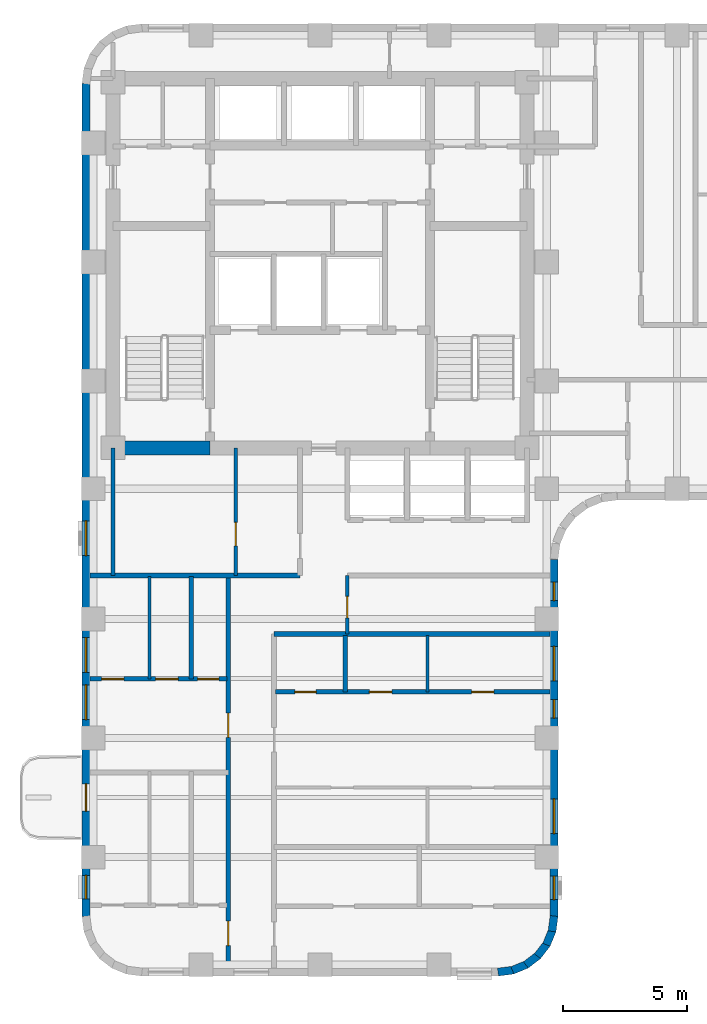
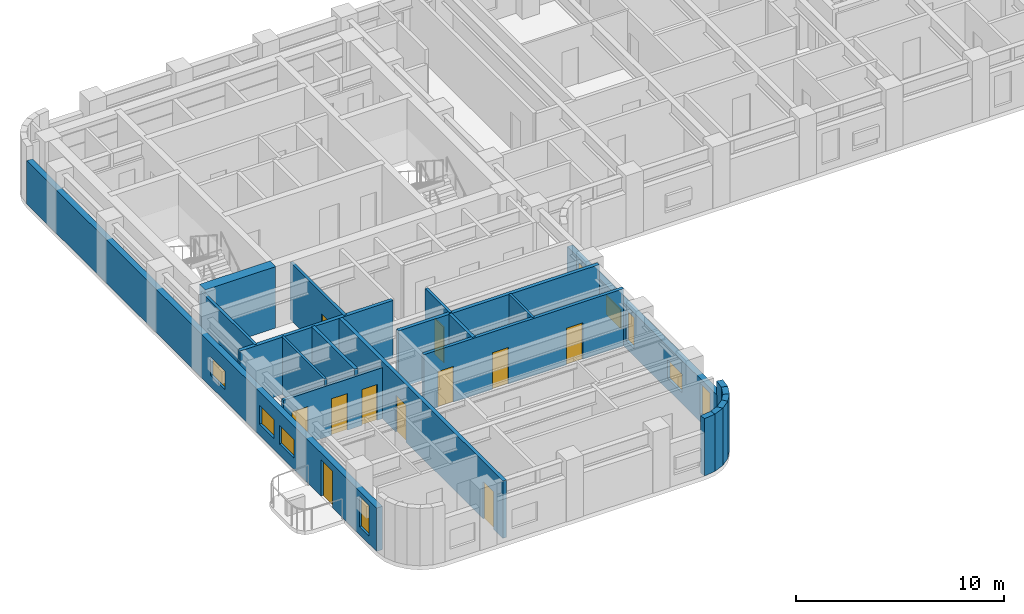
# One storey, part 3 of 10: 21 walls, 11 doors, 9 windows, 20 openings.
"""IFC4 building model written with IfcOpenShell, lengths in metres."""

from ifc_helpers import new_model, si_unit, direction, frame, frame_2d, origin, place, context, subcontext, project, spatial, rectangle, extrude, material, layer, layer_set, type_object, element, fill, save


model = new_model("IFC4")

# Units and contexts
model_context = context("Model", 3, precision=1e-05, world=origin(), true_north=direction((0.0, 1.0)))
body_context = subcontext(model_context, "Body", "Model", "MODEL_VIEW")
ifc_project = project(units=[si_unit("LENGTHUNIT", "METRE"), si_unit("AREAUNIT", "SQUARE_METRE"), si_unit("VOLUMEUNIT", "CUBIC_METRE"), si_unit("PLANEANGLEUNIT", "RADIAN"), si_unit("MASSUNIT", "GRAM", prefix="KILO")], contexts=[model_context])

# Site, building, storey
site_placement = place(None, origin())
site = spatial("IfcSite", under=ifc_project, at=site_placement, CompositionType="ELEMENT")
building_placement = place(site_placement, origin())
building = spatial("IfcBuilding", under=site, at=building_placement, Name="Orvandelia Arch Residences", CompositionType="ELEMENT")
storey_placement = place(building_placement, frame((0.0, 0.0, 121.60009765625)))
storey = spatial("IfcBuildingStorey", under=building, at=storey_placement, Name="L31", CompositionType="ELEMENT", Elevation=121.60009765625)

# Wall
ifc_material_1 = material(Name="Concrete C60/75", Category="concrete")
ifc_layer_1 = layer(ifc_material_1, 0.550048828125, Name="Concrete C60/75", Category="concrete")
ifc_layer_set_1 = layer_set([ifc_layer_1], Name="Concrete C60/75")
wall_type_1 = type_object("IfcWallType", Name="WL-CORE-550", PredefinedType="SHEAR", material=ifc_layer_set_1)
wall_1_placement = place(storey_placement, frame((6.050048828125, 30.89990234375, 0.0), z_axis=(0.0, 0.0, 1.0), x_axis=(1.0, 0.0, 0.0)))
element("IfcWall", 1, at=wall_1_placement, inside=storey, type_object=wall_type_1, Name="Core Shear Wall L31-SW", PredefinedType="SHEAR", context=body_context, shape_type="SweptSolid", body=[
    extrude(rectangle(XDim=3.909912109375, YDim=0.550048828125, at=frame_2d((1.955078125, 0.0))), origin(), (0.0, 0.0, 1.0), 3.599853515625),
])

# Wall, openings, doors
ifc_material_2 = material(Name="Fire-Rated Corridor Partition")
ifc_layer_2 = layer(ifc_material_2, 0.199951171875, Name="Fire-Rated Corridor Partition")
ifc_layer_set_2 = layer_set([ifc_layer_2], Name="Fire-Rated Corridor Partition")
wall_type_2 = type_object("IfcWallType", Name="WL-CORR-200", PredefinedType="PARTITIONING", material=ifc_layer_set_2)
wall_2_placement = place(storey_placement, frame((10.699951171875, 9.919921875, 0.0), z_axis=(0.0, 0.0, 1.0), x_axis=(0.0, 1.0, 0.0)))
wall_2 = element("IfcWall", 2, at=wall_2_placement, inside=storey, type_object=wall_type_2, Name="Interior Partition Wall WL-L31-WC-W", PredefinedType="PARTITIONING", context=body_context, shape_type="SweptSolid", body=[
    extrude(rectangle(XDim=15.830078125, YDim=0.199951171875, at=frame_2d((7.9150390625, 0.0))), origin(), (0.0, 0.0, 1.0), 3.35986328125),
])
opening_1_placement = place(wall_2_placement, frame((0.910888671875, 0.0, 0.0)))
opening_1 = element("IfcOpeningElement", 3, at=opening_1_placement, cuts=wall_2, Name="Opening D1", PredefinedType="OPENING", context=body_context, shape_type="SweptSolid", body=[
    extrude(rectangle(XDim=0.97998046875, YDim=2.179931640625, at=frame_2d((0.489990234375, 1.08984375))), frame((0.0, 0.10986328125, 0.0), z_axis=(0.0, -1.0, 0.0), x_axis=(1.0, 0.0, 0.0)), (0.0, 0.0, 1.0), 0.219970703125),
])
opening_2_placement = place(wall_2_placement, frame((9.302001953125, 0.0, 0.0)))
opening_2 = element("IfcOpeningElement", 4, at=opening_2_placement, cuts=wall_2, Name="Opening D1", PredefinedType="OPENING", context=body_context, shape_type="SweptSolid", body=[
    extrude(rectangle(XDim=0.97998046875, YDim=2.179931640625, at=frame_2d((0.489990234375, 1.08984375))), frame((0.0, 0.10986328125, 0.0), z_axis=(0.0, -1.0, 0.0), x_axis=(1.0, 0.0, 0.0)), (0.0, 0.0, 1.0), 0.219970703125),
])
ifc_material_3 = material(Name="Solid-Core Timber Acoustic Fire Door", Category="wood")
door_type_1 = type_object("IfcDoorType", Name="DR-ENT-980", OperationType="NOTDEFINED", PredefinedType="DOOR", material=ifc_material_3)
door_1_placement = place(opening_1_placement, origin())
door_1 = element("IfcDoor", 5, at=door_1_placement, inside=storey, type_object=door_type_1, Name="Unit L31-01 Entrance Door", OperationType="SINGLE_SWING_LEFT", OverallHeight=2.179931640625, OverallWidth=0.97998046875, PredefinedType="DOOR", context=body_context, shape_type="SweptSolid", body=[
    extrude(rectangle(XDim=0.97998046875, YDim=2.179931640625, at=frame_2d((0.489990234375, 1.08984375))), frame((0.0, 0.02490234375, 0.0), z_axis=(0.0, -1.0, 0.0), x_axis=(1.0, 0.0, 0.0)), (0.0, 0.0, 1.0), 0.050048828125),
])
fill(opening_1, door_1)
door_2_placement = place(opening_2_placement, origin())
door_2 = element("IfcDoor", 6, at=door_2_placement, inside=storey, type_object=door_type_1, Name="Unit L31-02 Entrance Door", OperationType="SINGLE_SWING_RIGHT", OverallHeight=2.179931640625, OverallWidth=0.97998046875, PredefinedType="DOOR", context=body_context, shape_type="SweptSolid", body=[
    extrude(rectangle(XDim=0.97998046875, YDim=2.179931640625, at=frame_2d((0.489990234375, 1.08984375))), frame((0.0, 0.02490234375, 0.0), z_axis=(0.0, -1.0, 0.0), x_axis=(1.0, 0.0, 0.0)), (0.0, 0.0, 1.0), 0.050048828125),
])
fill(opening_2, door_2)

# Walls
wall_3_placement = place(storey_placement, frame((12.550048828125, 23.39990234375, 0.0), z_axis=(0.0, 0.0, 1.0), x_axis=(1.0, 0.0, 0.0)))
element("IfcWall", 7, at=wall_3_placement, inside=storey, type_object=wall_type_2, Name="Interior Partition Wall WL-L31-WLNK-S", PredefinedType="PARTITIONING", context=body_context, shape_type="SweptSolid", body=[
    extrude(rectangle(XDim=11.1298828125, YDim=0.199951171875, at=frame_2d((5.56494140625, 0.0))), origin(), (0.0, 0.0, 1.0), 3.35986328125),
])
wall_4_placement = place(storey_placement, frame((5.1201171875, 25.75, 0.0), z_axis=(0.0, 0.0, 1.0), x_axis=(1.0, 0.0, 0.0)))
element("IfcWall", 8, at=wall_4_placement, inside=storey, type_object=wall_type_2, Name="Interior Partition Wall WL-L31-WLNK-N", PredefinedType="PARTITIONING", context=body_context, shape_type="SweptSolid", body=[
    extrude(rectangle(XDim=8.47998046875, YDim=0.199951171875, at=frame_2d((4.239990234375, 0.0))), origin(), (0.0, 0.0, 1.0), 3.35986328125),
])

# Wall, openings, windows
ifc_material_4 = material(Name="Precast concrete C40/50", Category="concrete")
ifc_layer_3 = layer(ifc_material_4, 0.320068359375, Name="Precast concrete C40/50", Category="concrete")
ifc_layer_set_3 = layer_set([ifc_layer_3], Name="Precast concrete C40/50")
wall_type_3 = type_object("IfcWallType", Name="WL-EXT-STONE-320", PredefinedType="STANDARD", material=ifc_layer_set_3)
wall_5_placement = place(storey_placement, frame((23.840087890625, 26.39990234375, 0.0), z_axis=(0.0, 0.0, 1.0), x_axis=(0.0, -1.0, 0.0)))
wall_5 = element("IfcWall", 9, at=wall_5_placement, inside=storey, type_object=wall_type_3, Name="Coral-Limestone Precast Facade Wall L31-028", PredefinedType="STANDARD", context=body_context, shape_type="SweptSolid", body=[
    extrude(rectangle(XDim=14.39990234375, YDim=0.320068359375, at=frame_2d((7.199951171875, 0.0))), origin(), (0.0, 0.0, 1.0), 2.539794921875),
])
opening_3_placement = place(wall_5_placement, frame((3.5, 0.0, 0.64990234375)))
opening_3 = element("IfcOpeningElement", 10, at=opening_3_placement, cuts=wall_5, Name="Opening W10", PredefinedType="OPENING", context=body_context, shape_type="SweptSolid", body=[
    extrude(rectangle(XDim=1.39990234375, YDim=1.10009765625, at=frame_2d((0.699951171875, 0.550048828125))), frame((0.0, 0.169921875, 0.0), z_axis=(0.0, -1.0, 0.0), x_axis=(1.0, 0.0, 0.0)), (0.0, 0.0, 1.0), 0.340087890625),
])
opening_4_placement = place(wall_5_placement, frame((9.653564453125, 0.0, 0.64990234375)))
opening_4 = element("IfcOpeningElement", 11, at=opening_4_placement, cuts=wall_5, Name="Opening W10", PredefinedType="OPENING", context=body_context, shape_type="SweptSolid", body=[
    extrude(rectangle(XDim=1.39990234375, YDim=1.10009765625, at=frame_2d((0.699951171875, 0.550048828125))), frame((0.0, 0.169921875, 0.0), z_axis=(0.0, -1.0, 0.0), x_axis=(1.0, 0.0, 0.0)), (0.0, 0.0, 1.0), 0.340087890625),
])
opening_5_placement = place(wall_5_placement, frame((12.767578125, 0.0, 0.449951171875)))
opening_5 = element("IfcOpeningElement", 12, at=opening_5_placement, cuts=wall_5, Name="Opening W4", PredefinedType="OPENING", context=body_context, shape_type="SweptSolid", body=[
    extrude(rectangle(XDim=0.949951171875, YDim=1.800048828125, at=frame_2d((0.47509765625, 0.89990234375))), frame((0.0, 0.169921875, 0.0), z_axis=(0.0, -1.0, 0.0), x_axis=(1.0, 0.0, 0.0)), (0.0, 0.0, 1.0), 0.340087890625),
])
opening_6_placement = place(wall_5_placement, frame((5.6474609375, 0.0, 0.449951171875)))
opening_6 = element("IfcOpeningElement", 13, at=opening_6_placement, cuts=wall_5, Name="Opening W11", PredefinedType="OPENING", context=body_context, shape_type="SweptSolid", body=[
    extrude(rectangle(XDim=0.75, YDim=1.800048828125, at=frame_2d((0.375, 0.89990234375))), frame((0.0, 0.169921875, 0.0), z_axis=(0.0, -1.0, 0.0), x_axis=(1.0, 0.0, 0.0)), (0.0, 0.0, 1.0), 0.340087890625),
])
opening_7_placement = place(wall_5_placement, frame((0.907470703125, 0.0, 0.449951171875)))
opening_7 = element("IfcOpeningElement", 14, at=opening_7_placement, cuts=wall_5, Name="Opening W11", PredefinedType="OPENING", context=body_context, shape_type="SweptSolid", body=[
    extrude(rectangle(XDim=0.75, YDim=1.800048828125, at=frame_2d((0.375, 0.89990234375))), frame((0.0, 0.169921875, 0.0), z_axis=(0.0, -1.0, 0.0), x_axis=(1.0, 0.0, 0.0)), (0.0, 0.0, 1.0), 0.340087890625),
])
ifc_material_5 = material(Name="Tempered Low-E Insulated Glazing", Category="glass")
window_type_1 = type_object("IfcWindowType", Name="WIN-BED-0750x1800", PartitioningType="SINGLE_PANEL", PredefinedType="WINDOW", material=ifc_material_5)
window_1_placement = place(opening_6_placement, origin())
window_1 = element("IfcWindow", 15, at=window_1_placement, inside=storey, type_object=window_type_1, Name="Recessed Punched Window L31-019", OverallHeight=1.800048828125, OverallWidth=0.75, PartitioningType="SINGLE_PANEL", PredefinedType="WINDOW", context=body_context, shape_type="SweptSolid", body=[
    extrude(rectangle(XDim=0.75, YDim=1.800048828125, at=frame_2d((0.375, 0.89990234375))), frame((0.0, 0.030029296875, 0.0), z_axis=(0.0, -1.0, 0.0), x_axis=(1.0, 0.0, 0.0)), (0.0, 0.0, 1.0), 0.06005859375),
])
fill(opening_6, window_1)
window_2_placement = place(opening_7_placement, origin())
window_2 = element("IfcWindow", 16, at=window_2_placement, inside=storey, type_object=window_type_1, Name="Recessed Punched Window L31-020", OverallHeight=1.800048828125, OverallWidth=0.75, PartitioningType="SINGLE_PANEL", PredefinedType="WINDOW", context=body_context, shape_type="SweptSolid", body=[
    extrude(rectangle(XDim=0.75, YDim=1.800048828125, at=frame_2d((0.375, 0.89990234375))), frame((0.0, 0.030029296875, 0.0), z_axis=(0.0, -1.0, 0.0), x_axis=(1.0, 0.0, 0.0)), (0.0, 0.0, 1.0), 0.06005859375),
])
fill(opening_7, window_2)
window_type_2 = type_object("IfcWindowType", Name="WIN-CLR-1400x1100", PartitioningType="SINGLE_PANEL", PredefinedType="WINDOW", material=ifc_material_5)
window_3_placement = place(opening_3_placement, origin())
window_3 = element("IfcWindow", 17, at=window_3_placement, inside=storey, type_object=window_type_2, Name="Recessed Punched Window L31-016", OverallHeight=1.10009765625, OverallWidth=1.39990234375, PartitioningType="SINGLE_PANEL", PredefinedType="WINDOW", context=body_context, shape_type="SweptSolid", body=[
    extrude(rectangle(XDim=1.39990234375, YDim=1.10009765625, at=frame_2d((0.699951171875, 0.550048828125))), frame((0.0, 0.030029296875, 0.0), z_axis=(0.0, -1.0, 0.0), x_axis=(1.0, 0.0, 0.0)), (0.0, 0.0, 1.0), 0.06005859375),
])
fill(opening_3, window_3)
window_4_placement = place(opening_4_placement, origin())
window_4 = element("IfcWindow", 18, at=window_4_placement, inside=storey, type_object=window_type_2, Name="Recessed Punched Window L31-017", OverallHeight=1.10009765625, OverallWidth=1.39990234375, PartitioningType="SINGLE_PANEL", PredefinedType="WINDOW", context=body_context, shape_type="SweptSolid", body=[
    extrude(rectangle(XDim=1.39990234375, YDim=1.10009765625, at=frame_2d((0.699951171875, 0.550048828125))), frame((0.0, 0.030029296875, 0.0), z_axis=(0.0, -1.0, 0.0), x_axis=(1.0, 0.0, 0.0)), (0.0, 0.0, 1.0), 0.06005859375),
])
fill(opening_4, window_4)
window_type_3 = type_object("IfcWindowType", Name="WIN-RES-0950x1800", PartitioningType="SINGLE_PANEL", PredefinedType="WINDOW", material=ifc_material_5)
window_5_placement = place(opening_5_placement, origin())
window_5 = element("IfcWindow", 19, at=window_5_placement, inside=storey, type_object=window_type_3, Name="Recessed Punched Window L31-018", OverallHeight=1.800048828125, OverallWidth=0.949951171875, PartitioningType="SINGLE_PANEL", PredefinedType="WINDOW", context=body_context, shape_type="SweptSolid", body=[
    extrude(rectangle(XDim=0.949951171875, YDim=1.800048828125, at=frame_2d((0.47509765625, 0.89990234375))), frame((0.0, 0.030029296875, 0.0), z_axis=(0.0, -1.0, 0.0), x_axis=(1.0, 0.0, 0.0)), (0.0, 0.0, 1.0), 0.06005859375),
])
fill(opening_5, window_5)

# Walls
wall_6_placement = place(storey_placement, frame((23.84130859375, 12.02099609375, 0.0), z_axis=(0.0, 0.0, 1.0), x_axis=(-0.130504898859, -0.991447664465, 0.0)))
element("IfcWall", 20, at=wall_6_placement, inside=storey, type_object=wall_type_3, Name="Coral-Limestone Precast Facade Wall L31-029", PredefinedType="STANDARD", context=body_context, shape_type="SweptSolid", body=[
    extrude(rectangle(XDim=0.626708984375, YDim=0.320068359375, at=frame_2d((0.3134765625, 0.0))), origin(), (0.0, 0.0, 1.0), 3.35986328125),
])
for number, where, z_axis, x_axis, name in (
    (21, (23.7705078125, 11.43994140625, 0.0), (0.0, 0.0, 1.0), (-0.382650053678, -0.92389335771, 0.0), "Coral-Limestone Precast Facade Wall L31-030"),
    (22, (23.551513671875, 10.8974609375, 0.0), (0.0, 0.0, 1.0), (-0.608693302629, -0.793405610854, 0.0), "Coral-Limestone Precast Facade Wall L31-031"),
    (23, (23.19970703125, 10.4296875, 0.0), (0.0, 0.0, 1.0), (-0.793405610854, -0.608693302629, 0.0), "Coral-Limestone Precast Facade Wall L31-032"),
    (24, (22.73876953125, 10.0693359375, 0.0), (0.0, 0.0, 1.0), (-0.92389335771, -0.382650053678, 0.0), "Coral-Limestone Precast Facade Wall L31-033"),
    (25, (22.2001953125, 9.84033203125, 0.0), (0.0, 0.0, 1.0), (-0.9914410257, -0.130555323746, 0.0), "Coral-Limestone Precast Facade Wall L31-034"),
):
    element("IfcWall", number, at=place(storey_placement, frame(where, z_axis=z_axis, x_axis=x_axis)), inside=storey, type_object=wall_type_3, Name=name, PredefinedType="STANDARD", context=body_context, shape_type="SweptSolid", body=[
        extrude(rectangle(XDim=0.62646484375, YDim=0.320068359375, at=frame_2d((0.313232421875, 0.0))), origin(), (0.0, 0.0, 1.0), 3.35986328125),
    ])

# Wall, openings, door, windows
wall_7_placement = place(storey_placement, frame((4.9599609375, 12.0, 0.0), z_axis=(0.0, 0.0, 1.0), x_axis=(0.0, 1.0, 0.0)))
wall_7 = element("IfcWall", 26, at=wall_7_placement, inside=storey, type_object=wall_type_3, Name="Coral-Limestone Precast Facade Wall L31-042", PredefinedType="STANDARD", context=body_context, shape_type="SweptSolid", body=[
    extrude(rectangle(XDim=33.60009765625, YDim=0.320068359375, at=frame_2d((16.800048828125, 0.0))), origin(), (0.0, 0.0, 1.0), 2.539794921875),
])
opening_8_placement = place(wall_7_placement, frame((4.25, 0.0, 0.0)))
opening_8 = element("IfcOpeningElement", 27, at=opening_8_placement, cuts=wall_7, Name="Opening BD1", PredefinedType="OPENING", context=body_context, shape_type="SweptSolid", body=[
    extrude(rectangle(XDim=1.10009765625, YDim=2.14990234375, at=frame_2d((0.550048828125, 1.074951171875))), frame((0.0, 0.169921875, 0.0), z_axis=(0.0, -1.0, 0.0), x_axis=(1.0, 0.0, 0.0)), (0.0, 0.0, 1.0), 0.340087890625),
])
opening_9_placement = place(wall_7_placement, frame((0.70849609375, 0.0, 0.449951171875)))
opening_9 = element("IfcOpeningElement", 28, at=opening_9_placement, cuts=wall_7, Name="Opening W4", PredefinedType="OPENING", context=body_context, shape_type="SweptSolid", body=[
    extrude(rectangle(XDim=0.949951171875, YDim=1.800048828125, at=frame_2d((0.47509765625, 0.89990234375))), frame((0.0, 0.169921875, 0.0), z_axis=(0.0, -1.0, 0.0), x_axis=(1.0, 0.0, 0.0)), (0.0, 0.0, 1.0), 0.340087890625),
])
opening_10_placement = place(wall_7_placement, frame((9.844482421875, 0.0, 0.64990234375)))
opening_10 = element("IfcOpeningElement", 29, at=opening_10_placement, cuts=wall_7, Name="Opening W10", PredefinedType="OPENING", context=body_context, shape_type="SweptSolid", body=[
    extrude(rectangle(XDim=1.39990234375, YDim=1.10009765625, at=frame_2d((0.699951171875, 0.550048828125))), frame((0.0, 0.169921875, 0.0), z_axis=(0.0, -1.0, 0.0), x_axis=(1.0, 0.0, 0.0)), (0.0, 0.0, 1.0), 0.340087890625),
])
opening_11_placement = place(wall_7_placement, frame((7.939453125, 0.0, 0.64990234375)))
opening_11 = element("IfcOpeningElement", 30, at=opening_11_placement, cuts=wall_7, Name="Opening W10", PredefinedType="OPENING", context=body_context, shape_type="SweptSolid", body=[
    extrude(rectangle(XDim=1.39990234375, YDim=1.10009765625, at=frame_2d((0.699951171875, 0.550048828125))), frame((0.0, 0.169921875, 0.0), z_axis=(0.0, -1.0, 0.0), x_axis=(1.0, 0.0, 0.0)), (0.0, 0.0, 1.0), 0.340087890625),
])
opening_12_placement = place(wall_7_placement, frame((14.5576171875, 0.0, 0.64990234375)))
opening_12 = element("IfcOpeningElement", 31, at=opening_12_placement, cuts=wall_7, Name="Opening W10", PredefinedType="OPENING", context=body_context, shape_type="SweptSolid", body=[
    extrude(rectangle(XDim=1.39990234375, YDim=1.10009765625, at=frame_2d((0.699951171875, 0.550048828125))), frame((0.0, 0.169921875, 0.0), z_axis=(0.0, -1.0, 0.0), x_axis=(1.0, 0.0, 0.0)), (0.0, 0.0, 1.0), 0.340087890625),
])
ifc_material_6 = material(Name="Thermally Broken Aluminium Glazed Door", Category="aluminium")
door_type_2 = type_object("IfcDoorType", Name="DR-BAL-GLAZ-1100", OperationType="NOTDEFINED", PredefinedType="DOOR", material=ifc_material_6)
door_3_placement = place(opening_8_placement, origin())
door_3 = element("IfcDoor", 32, at=door_3_placement, inside=storey, type_object=door_type_2, Name="Tree Balcony Glazed Door BAL-L31-W1", OperationType="SINGLE_SWING_RIGHT", OverallHeight=2.14990234375, OverallWidth=1.10009765625, PredefinedType="DOOR", context=body_context, shape_type="SweptSolid", body=[
    extrude(rectangle(XDim=1.10009765625, YDim=2.14990234375, at=frame_2d((0.550048828125, 1.074951171875))), frame((0.0, 0.02490234375, 0.0), z_axis=(0.0, -1.0, 0.0), x_axis=(1.0, 0.0, 0.0)), (0.0, 0.0, 1.0), 0.050048828125),
])
fill(opening_8, door_3)
window_6_placement = place(opening_10_placement, origin())
window_6 = element("IfcWindow", 33, at=window_6_placement, inside=storey, type_object=window_type_2, Name="Recessed Punched Window L31-025", OverallHeight=1.10009765625, OverallWidth=1.39990234375, PartitioningType="SINGLE_PANEL", PredefinedType="WINDOW", context=body_context, shape_type="SweptSolid", body=[
    extrude(rectangle(XDim=1.39990234375, YDim=1.10009765625, at=frame_2d((0.699951171875, 0.550048828125))), frame((0.0, 0.030029296875, 0.0), z_axis=(0.0, -1.0, 0.0), x_axis=(1.0, 0.0, 0.0)), (0.0, 0.0, 1.0), 0.06005859375),
])
fill(opening_10, window_6)
window_7_placement = place(opening_11_placement, origin())
window_7 = element("IfcWindow", 34, at=window_7_placement, inside=storey, type_object=window_type_2, Name="Recessed Punched Window L31-026", OverallHeight=1.10009765625, OverallWidth=1.39990234375, PartitioningType="SINGLE_PANEL", PredefinedType="WINDOW", context=body_context, shape_type="SweptSolid", body=[
    extrude(rectangle(XDim=1.39990234375, YDim=1.10009765625, at=frame_2d((0.699951171875, 0.550048828125))), frame((0.0, 0.030029296875, 0.0), z_axis=(0.0, -1.0, 0.0), x_axis=(1.0, 0.0, 0.0)), (0.0, 0.0, 1.0), 0.06005859375),
])
fill(opening_11, window_7)
window_8_placement = place(opening_12_placement, origin())
window_8 = element("IfcWindow", 35, at=window_8_placement, inside=storey, type_object=window_type_2, Name="Recessed Punched Window L31-027", OverallHeight=1.10009765625, OverallWidth=1.39990234375, PartitioningType="SINGLE_PANEL", PredefinedType="WINDOW", context=body_context, shape_type="SweptSolid", body=[
    extrude(rectangle(XDim=1.39990234375, YDim=1.10009765625, at=frame_2d((0.699951171875, 0.550048828125))), frame((0.0, 0.030029296875, 0.0), z_axis=(0.0, -1.0, 0.0), x_axis=(1.0, 0.0, 0.0)), (0.0, 0.0, 1.0), 0.06005859375),
])
fill(opening_12, window_8)
window_9_placement = place(opening_9_placement, origin())
window_9 = element("IfcWindow", 36, at=window_9_placement, inside=storey, type_object=window_type_3, Name="Recessed Punched Window L31-024", OverallHeight=1.800048828125, OverallWidth=0.949951171875, PartitioningType="SINGLE_PANEL", PredefinedType="WINDOW", context=body_context, shape_type="SweptSolid", body=[
    extrude(rectangle(XDim=0.949951171875, YDim=1.800048828125, at=frame_2d((0.47509765625, 0.89990234375))), frame((0.0, 0.030029296875, 0.0), z_axis=(0.0, -1.0, 0.0), x_axis=(1.0, 0.0, 0.0)), (0.0, 0.0, 1.0), 0.06005859375),
])
fill(opening_9, window_9)

# Walls
ifc_material_7 = material(Name="Lightweight Gypsum Stud Partition")
ifc_layer_4 = layer(ifc_material_7, 0.1201171875, Name="Lightweight Gypsum Stud Partition")
ifc_layer_set_4 = layer_set([ifc_layer_4], Name="Lightweight Gypsum Stud Partition")
wall_type_4 = type_object("IfcWallType", Name="WL-PART-120", PredefinedType="PARTITIONING", material=ifc_layer_set_4)
wall_8_placement = place(storey_placement, frame((7.514892578125, 21.583984375, 0.0), z_axis=(0.0, 0.0, 1.0), x_axis=(0.0, 1.0, 0.0)))
element("IfcWall", 37, at=wall_8_placement, inside=storey, type_object=wall_type_4, Name="Interior Partition Wall WL-L31-U02-V1", PredefinedType="PARTITIONING", context=body_context, shape_type="SweptSolid", body=[
    extrude(rectangle(XDim=4.135986328125, YDim=0.1201171875, at=frame_2d((2.06787109375, 0.0))), origin(), (0.0, 0.0, 1.0), 3.35986328125),
])
wall_9_placement = place(storey_placement, frame((18.73193359375, 21.06005859375, 0.0), z_axis=(0.0, 0.0, 1.0), x_axis=(0.0, 1.0, 0.0)))
element("IfcWall", 38, at=wall_9_placement, inside=storey, type_object=wall_type_4, Name="Interior Partition Wall WL-L31-U04-V2", PredefinedType="PARTITIONING", context=body_context, shape_type="SweptSolid", body=[
    extrude(rectangle(XDim=2.280029296875, YDim=0.1201171875, at=frame_2d((1.14013671875, 0.0))), origin(), (0.0, 0.0, 1.0), 3.35986328125),
])
ifc_material_8 = material(Name="Acoustic Gypsum Stud Partition")
ifc_layer_5 = layer(ifc_material_8, 0.14990234375, Name="Acoustic Gypsum Stud Partition")
ifc_layer_set_5 = layer_set([ifc_layer_5], Name="Acoustic Gypsum Stud Partition")
wall_type_5 = type_object("IfcWallType", Name="WL-PART-150", PredefinedType="PARTITIONING", material=ifc_layer_set_5)
wall_10_placement = place(storey_placement, frame((6.050048828125, 25.75, 0.0), z_axis=(0.0, 0.0, 1.0), x_axis=(0.0, 1.0, 0.0)))
element("IfcWall", 39, at=wall_10_placement, inside=storey, type_object=wall_type_5, Name="Interior Partition Wall WL-L31-B1REUSE-W", PredefinedType="PARTITIONING", context=body_context, shape_type="SweptSolid", body=[
    extrude(rectangle(XDim=5.14990234375, YDim=0.14990234375, at=frame_2d((2.574951171875, 0.0))), origin(), (0.0, 0.0, 1.0), 3.35986328125),
])

# Wall, opening, door
wall_11_placement = place(storey_placement, frame((11.0, 25.75, 0.0), z_axis=(0.0, 0.0, 1.0), x_axis=(0.0, 1.0, 0.0)))
wall_11 = element("IfcWall", 40, at=wall_11_placement, inside=storey, type_object=wall_type_5, Name="Interior Partition Wall WL-L31-B1R-M2", PredefinedType="PARTITIONING", context=body_context, shape_type="SweptSolid", body=[
    extrude(rectangle(XDim=5.14990234375, YDim=0.14990234375, at=frame_2d((2.574951171875, 0.0))), origin(), (0.0, 0.0, 1.0), 3.35986328125),
])
opening_13_placement = place(wall_11_placement, frame((1.199951171875, 0.0, 0.0)))
opening_13 = element("IfcOpeningElement", 41, at=opening_13_placement, cuts=wall_11, Name="Opening D2", PredefinedType="OPENING", context=body_context, shape_type="SweptSolid", body=[
    extrude(rectangle(XDim=0.949951171875, YDim=2.14990234375, at=frame_2d((0.47509765625, 1.074951171875))), frame((0.0, 0.0849609375, 0.0), z_axis=(0.0, -1.0, 0.0), x_axis=(1.0, 0.0, 0.0)), (0.0, 0.0, 1.0), 0.169921875),
])
ifc_material_9 = material(Name="Solid-Core Timber Interior Fire Door", Category="wood")
door_type_3 = type_object("IfcDoorType", Name="DR-APT-950", OperationType="NOTDEFINED", PredefinedType="DOOR", material=ifc_material_9)
door_4_placement = place(opening_13_placement, origin())
door_4 = element("IfcDoor", 42, at=door_4_placement, inside=storey, type_object=door_type_3, Name="DR-L31-B1RW", OperationType="SINGLE_SWING_LEFT", OverallHeight=2.14990234375, OverallWidth=0.949951171875, PredefinedType="DOOR", context=body_context, shape_type="SweptSolid", body=[
    extrude(rectangle(XDim=0.949951171875, YDim=2.14990234375, at=frame_2d((0.47509765625, 1.074951171875))), frame((0.0, 0.02490234375, 0.0), z_axis=(0.0, -1.0, 0.0), x_axis=(1.0, 0.0, 0.0)), (0.0, 0.0, 1.0), 0.050048828125),
])
fill(opening_13, door_4)

wall_12_placement = place(storey_placement, frame((15.5, 23.39990234375, 0.0), z_axis=(0.0, 0.0, 1.0), x_axis=(0.0, 1.0, 0.0)))
wall_12 = element("IfcWall", 43, at=wall_12_placement, inside=storey, type_object=wall_type_5, Name="Interior Partition Wall WL-L31-WLNK-E", PredefinedType="PARTITIONING", context=body_context, shape_type="SweptSolid", body=[
    extrude(rectangle(XDim=2.35009765625, YDim=0.14990234375, at=frame_2d((1.175048828125, 0.0))), origin(), (0.0, 0.0, 1.0), 3.35986328125),
])
opening_14_placement = place(wall_12_placement, frame((0.64990234375, 0.0, 0.0)))
opening_14 = element("IfcOpeningElement", 44, at=opening_14_placement, cuts=wall_12, Name="Opening D4", PredefinedType="OPENING", context=body_context, shape_type="SweptSolid", body=[
    extrude(rectangle(XDim=0.860107421875, YDim=2.10009765625, at=frame_2d((0.43017578125, 1.050048828125))), frame((0.0, 0.0849609375, 0.0), z_axis=(0.0, -1.0, 0.0), x_axis=(1.0, 0.0, 0.0)), (0.0, 0.0, 1.0), 0.169921875),
])
ifc_material_10 = material(Name="Moisture-Sealed Timber Bathroom Door", Category="wood")
door_type_4 = type_object("IfcDoorType", Name="DR-WET-900", OperationType="NOTDEFINED", PredefinedType="DOOR", material=ifc_material_10)
door_5_placement = place(opening_14_placement, origin())
door_5 = element("IfcDoor", 45, at=door_5_placement, inside=storey, type_object=door_type_4, Name="DR-L31-WLNKST", OperationType="SINGLE_SWING_RIGHT", OverallHeight=2.10009765625, OverallWidth=0.860107421875, PredefinedType="DOOR", context=body_context, shape_type="SweptSolid", body=[
    extrude(rectangle(XDim=0.860107421875, YDim=2.10009765625, at=frame_2d((0.43017578125, 1.050048828125))), frame((0.0, 0.02490234375, 0.0), z_axis=(0.0, -1.0, 0.0), x_axis=(1.0, 0.0, 0.0)), (0.0, 0.0, 1.0), 0.050048828125),
])
fill(opening_14, door_5)

# Wall, openings, doors
ifc_material_11 = material(Name="Moisture-Resistant Plumbing Wall")
ifc_layer_6 = layer(ifc_material_11, 0.179931640625, Name="Moisture-Resistant Plumbing Wall")
ifc_layer_set_6 = layer_set([ifc_layer_6], Name="Moisture-Resistant Plumbing Wall")
wall_type_6 = type_object("IfcWallType", Name="WL-WET-180", PredefinedType="PLUMBINGWALL", material=ifc_layer_set_6)
wall_13_placement = place(storey_placement, frame((5.1201171875, 21.583984375, 0.0), z_axis=(0.0, 0.0, 1.0), x_axis=(1.0, 0.0, 0.0)))
wall_13 = element("IfcWall", 46, at=wall_13_placement, inside=storey, type_object=wall_type_6, Name="Interior Partition Wall WL-L31-U02-HZ", PredefinedType="PLUMBINGWALL", context=body_context, shape_type="SweptSolid", body=[
    extrude(rectangle(XDim=5.519775390625, YDim=0.179931640625, at=frame_2d((2.759765625, 0.0))), origin(), (0.0, 0.0, 1.0), 2.989990234375),
])
opening_15_placement = place(wall_13_placement, frame((0.47216796875, 0.0, 0.0)))
opening_15 = element("IfcOpeningElement", 47, at=opening_15_placement, cuts=wall_13, Name="Opening D3", PredefinedType="OPENING", context=body_context, shape_type="SweptSolid", body=[
    extrude(rectangle(XDim=0.89990234375, YDim=2.14990234375, at=frame_2d((0.449951171875, 1.074951171875))), frame((0.0, 0.10009765625, 0.0), z_axis=(0.0, -1.0, 0.0), x_axis=(1.0, 0.0, 0.0)), (0.0, 0.0, 1.0), 0.199951171875),
])
opening_16_placement = place(wall_13_placement, frame((2.655029296875, 0.0, 0.0)))
opening_16 = element("IfcOpeningElement", 48, at=opening_16_placement, cuts=wall_13, Name="Opening D3", PredefinedType="OPENING", context=body_context, shape_type="SweptSolid", body=[
    extrude(rectangle(XDim=0.89990234375, YDim=2.14990234375, at=frame_2d((0.449951171875, 1.074951171875))), frame((0.0, 0.10009765625, 0.0), z_axis=(0.0, -1.0, 0.0), x_axis=(1.0, 0.0, 0.0)), (0.0, 0.0, 1.0), 0.199951171875),
])
opening_17_placement = place(wall_13_placement, frame((4.342041015625, 0.0, 0.0)))
opening_17 = element("IfcOpeningElement", 49, at=opening_17_placement, cuts=wall_13, Name="Opening D4", PredefinedType="OPENING", context=body_context, shape_type="SweptSolid", body=[
    extrude(rectangle(XDim=0.860107421875, YDim=2.10009765625, at=frame_2d((0.43017578125, 1.050048828125))), frame((0.0, 0.10009765625, 0.0), z_axis=(0.0, -1.0, 0.0), x_axis=(1.0, 0.0, 0.0)), (0.0, 0.0, 1.0), 0.199951171875),
])
ifc_material_12 = material(Name="Engineered Timber Flush Door", Category="wood")
door_type_5 = type_object("IfcDoorType", Name="DR-INT-900", OperationType="NOTDEFINED", PredefinedType="DOOR", material=ifc_material_12)
door_6_placement = place(opening_15_placement, origin())
door_6 = element("IfcDoor", 50, at=door_6_placement, inside=storey, type_object=door_type_5, Name="DR-L31-U02-BD1", OperationType="SINGLE_SWING_RIGHT", OverallHeight=2.14990234375, OverallWidth=0.89990234375, PredefinedType="DOOR", context=body_context, shape_type="SweptSolid", body=[
    extrude(rectangle(XDim=0.89990234375, YDim=2.14990234375, at=frame_2d((0.449951171875, 1.074951171875))), frame((0.0, 0.02490234375, 0.0), z_axis=(0.0, -1.0, 0.0), x_axis=(1.0, 0.0, 0.0)), (0.0, 0.0, 1.0), 0.050048828125),
])
fill(opening_15, door_6)
door_7_placement = place(opening_16_placement, origin())
door_7 = element("IfcDoor", 51, at=door_7_placement, inside=storey, type_object=door_type_5, Name="DR-L31-U02-KIT", OperationType="SINGLE_SWING_LEFT", OverallHeight=2.14990234375, OverallWidth=0.89990234375, PredefinedType="DOOR", context=body_context, shape_type="SweptSolid", body=[
    extrude(rectangle(XDim=0.89990234375, YDim=2.14990234375, at=frame_2d((0.449951171875, 1.074951171875))), frame((0.0, 0.02490234375, 0.0), z_axis=(0.0, -1.0, 0.0), x_axis=(1.0, 0.0, 0.0)), (0.0, 0.0, 1.0), 0.050048828125),
])
fill(opening_16, door_7)
door_8_placement = place(opening_17_placement, origin())
door_8 = element("IfcDoor", 52, at=door_8_placement, inside=storey, type_object=door_type_4, Name="DR-L31-U02-BTH", OperationType="SINGLE_SWING_RIGHT", OverallHeight=2.10009765625, OverallWidth=0.860107421875, PredefinedType="DOOR", context=body_context, shape_type="SweptSolid", body=[
    extrude(rectangle(XDim=0.860107421875, YDim=2.10009765625, at=frame_2d((0.43017578125, 1.050048828125))), frame((0.0, 0.02490234375, 0.0), z_axis=(0.0, -1.0, 0.0), x_axis=(1.0, 0.0, 0.0)), (0.0, 0.0, 1.0), 0.050048828125),
])
fill(opening_17, door_8)

# Wall
wall_14_placement = place(storey_placement, frame((9.201904296875, 21.583984375, 0.0), z_axis=(0.0, 0.0, 1.0), x_axis=(0.0, 1.0, 0.0)))
element("IfcWall", 53, at=wall_14_placement, inside=storey, type_object=wall_type_6, Name="Interior Partition Wall WL-L31-U02-V2", PredefinedType="PLUMBINGWALL", context=body_context, shape_type="SweptSolid", body=[
    extrude(rectangle(XDim=4.135986328125, YDim=0.179931640625, at=frame_2d((2.06787109375, 0.0))), origin(), (0.0, 0.0, 1.0), 3.35986328125),
])

# Wall, openings, doors
wall_15_placement = place(storey_placement, frame((12.610107421875, 21.06005859375, 0.0), z_axis=(0.0, 0.0, 1.0), x_axis=(1.0, 0.0, 0.0)))
wall_15 = element("IfcWall", 54, at=wall_15_placement, inside=storey, type_object=wall_type_6, Name="Interior Partition Wall WL-L31-U04-HZ", PredefinedType="PLUMBINGWALL", context=body_context, shape_type="SweptSolid", body=[
    extrude(rectangle(XDim=11.06982421875, YDim=0.179931640625, at=frame_2d((5.534912109375, 0.0))), origin(), (0.0, 0.0, 1.0), 3.35986328125),
])
opening_18_placement = place(wall_15_placement, frame((0.772216796875, 0.0, 0.0)))
opening_18 = element("IfcOpeningElement", 55, at=opening_18_placement, cuts=wall_15, Name="Opening D4", PredefinedType="OPENING", context=body_context, shape_type="SweptSolid", body=[
    extrude(rectangle(XDim=0.860107421875, YDim=2.10009765625, at=frame_2d((0.43017578125, 1.050048828125))), frame((0.0, 0.10009765625, 0.0), z_axis=(0.0, -1.0, 0.0), x_axis=(1.0, 0.0, 0.0)), (0.0, 0.0, 1.0), 0.199951171875),
])
opening_19_placement = place(wall_15_placement, frame((3.7861328125, 0.0, 0.0)))
opening_19 = element("IfcOpeningElement", 56, at=opening_19_placement, cuts=wall_15, Name="Opening D3", PredefinedType="OPENING", context=body_context, shape_type="SweptSolid", body=[
    extrude(rectangle(XDim=0.89990234375, YDim=2.14990234375, at=frame_2d((0.449951171875, 1.074951171875))), frame((0.0, 0.10009765625, 0.0), z_axis=(0.0, -1.0, 0.0), x_axis=(1.0, 0.0, 0.0)), (0.0, 0.0, 1.0), 0.199951171875),
])
opening_20_placement = place(wall_15_placement, frame((7.903076171875, 0.0, 0.0)))
opening_20 = element("IfcOpeningElement", 57, at=opening_20_placement, cuts=wall_15, Name="Opening D3", PredefinedType="OPENING", context=body_context, shape_type="SweptSolid", body=[
    extrude(rectangle(XDim=0.89990234375, YDim=2.14990234375, at=frame_2d((0.449951171875, 1.074951171875))), frame((0.0, 0.10009765625, 0.0), z_axis=(0.0, -1.0, 0.0), x_axis=(1.0, 0.0, 0.0)), (0.0, 0.0, 1.0), 0.199951171875),
])
door_9_placement = place(opening_19_placement, origin())
door_9 = element("IfcDoor", 58, at=door_9_placement, inside=storey, type_object=door_type_5, Name="DR-L31-U04-KIT", OperationType="SINGLE_SWING_RIGHT", OverallHeight=2.14990234375, OverallWidth=0.89990234375, PredefinedType="DOOR", context=body_context, shape_type="SweptSolid", body=[
    extrude(rectangle(XDim=0.89990234375, YDim=2.14990234375, at=frame_2d((0.449951171875, 1.074951171875))), frame((0.0, 0.02490234375, 0.0), z_axis=(0.0, -1.0, 0.0), x_axis=(1.0, 0.0, 0.0)), (0.0, 0.0, 1.0), 0.050048828125),
])
fill(opening_19, door_9)
door_10_placement = place(opening_20_placement, origin())
door_10 = element("IfcDoor", 59, at=door_10_placement, inside=storey, type_object=door_type_5, Name="DR-L31-U04-BD1", OperationType="SINGLE_SWING_LEFT", OverallHeight=2.14990234375, OverallWidth=0.89990234375, PredefinedType="DOOR", context=body_context, shape_type="SweptSolid", body=[
    extrude(rectangle(XDim=0.89990234375, YDim=2.14990234375, at=frame_2d((0.449951171875, 1.074951171875))), frame((0.0, 0.02490234375, 0.0), z_axis=(0.0, -1.0, 0.0), x_axis=(1.0, 0.0, 0.0)), (0.0, 0.0, 1.0), 0.050048828125),
])
fill(opening_20, door_10)
door_11_placement = place(opening_18_placement, origin())
door_11 = element("IfcDoor", 60, at=door_11_placement, inside=storey, type_object=door_type_4, Name="DR-L31-U04-BTH", OperationType="SINGLE_SWING_LEFT", OverallHeight=2.10009765625, OverallWidth=0.860107421875, PredefinedType="DOOR", context=body_context, shape_type="SweptSolid", body=[
    extrude(rectangle(XDim=0.860107421875, YDim=2.10009765625, at=frame_2d((0.43017578125, 1.050048828125))), frame((0.0, 0.02490234375, 0.0), z_axis=(0.0, -1.0, 0.0), x_axis=(1.0, 0.0, 0.0)), (0.0, 0.0, 1.0), 0.050048828125),
])
fill(opening_18, door_11)

# Wall
wall_16_placement = place(storey_placement, frame((15.426025390625, 21.06005859375, 0.0), z_axis=(0.0, 0.0, 1.0), x_axis=(0.0, 1.0, 0.0)))
element("IfcWall", 61, at=wall_16_placement, inside=storey, type_object=wall_type_6, Name="Interior Partition Wall WL-L31-U04-V1", PredefinedType="PLUMBINGWALL", context=body_context, shape_type="SweptSolid", body=[
    extrude(rectangle(XDim=2.280029296875, YDim=0.179931640625, at=frame_2d((1.14013671875, 0.0))), origin(), (0.0, 0.0, 1.0), 3.35986328125),
])

save(model, "model.ifc")
